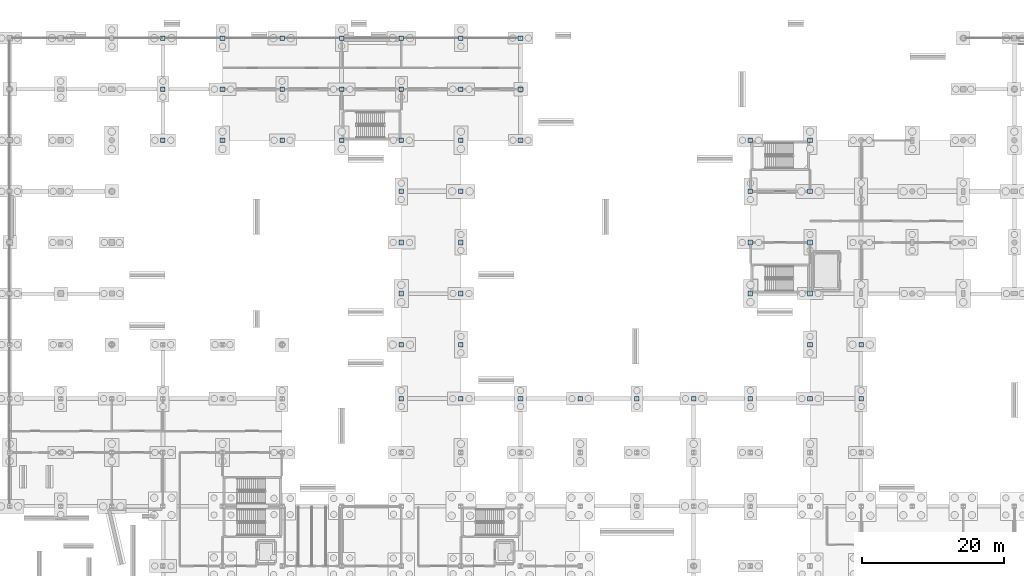
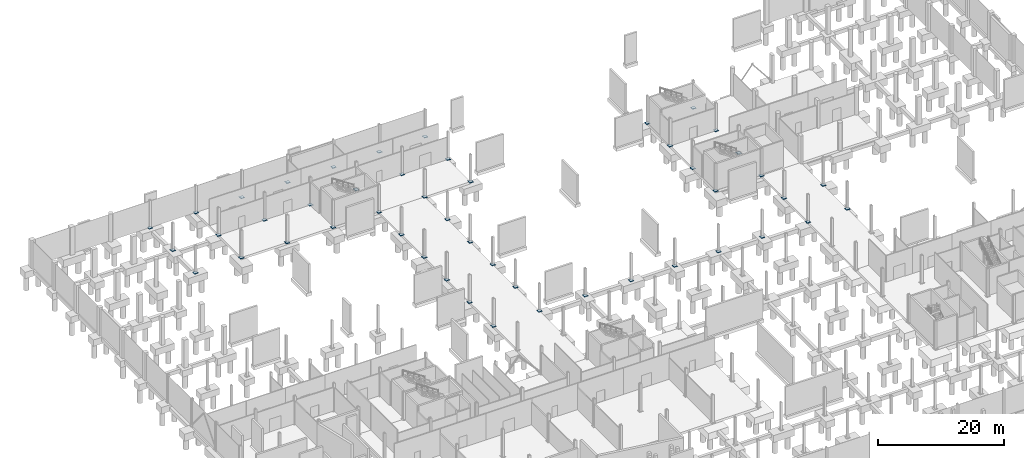
# One storey, part 38 of 61: 48 plates.
"""IFC4 building model written with IfcOpenShell, lengths in metres."""

from ifc_helpers import new_model, si_unit, direction, frame, origin, origin_2d, place, context, subcontext, project, spatial, rectangle, extrude, material, layer, layer_set, type_object, element, save


model = new_model("IFC4")

# Units and contexts
model_context = context("Model", 3, precision=1e-05, world=origin(), true_north=direction((0.0, 1.0)))
body_context = subcontext(model_context, "Body", "Model", "MODEL_VIEW")
ifc_project = project(units=[si_unit("LENGTHUNIT", "METRE"), si_unit("AREAUNIT", "SQUARE_METRE"), si_unit("VOLUMEUNIT", "CUBIC_METRE"), si_unit("PLANEANGLEUNIT", "RADIAN"), si_unit("MASSUNIT", "GRAM", prefix="KILO")], contexts=[model_context])

# Site, building, storey
site_placement = place(None, origin())
site = spatial("IfcSite", under=ifc_project, at=site_placement, CompositionType="ELEMENT")
building_placement = place(site_placement, origin())
building = spatial("IfcBuilding", under=site, at=building_placement, Name="Calvrana Isthmian Art Gallery", CompositionType="ELEMENT")
storey_placement = place(building_placement, frame((0.0, 0.0, -5.39990234375)))
storey = spatial("IfcBuildingStorey", under=building, at=storey_placement, Name="B1", CompositionType="ELEMENT", Elevation=-5.39990234375)

# Plates
ifc_material = material(Name="Steel ASTM A572 Gr 50", Category="steel")
ifc_layer_1 = layer(ifc_material, 0.0380859375, Name="Steel ASTM A572 Gr 50")
ifc_layer_set_1 = layer_set([ifc_layer_1], Name="Steel ASTM A572 Gr 50")
plate_type_1 = type_object("IfcPlateType", Name="PL-BASE-38", PredefinedType="USERDEFINED", material=ifc_layer_set_1)
for number, where, z_axis, x_axis, name in (
    (1, (21.60009765625, 98.39990234375, -0.000244140625), (0.0, 0.0, 1.0), (1.0, 0.0, 0.0), "Base plate 04/N"),
    (2, (21.60009765625, 105.60009765625, -0.000244140625), (0.0, 0.0, 1.0), (1.0, 0.0, 0.0), "Base plate 04/O"),
    (3, (21.60009765625, 112.800048828125, -0.000244140625), (0.0, 0.0, 1.0), (1.0, 0.0, 0.0), "Base plate 04/P"),
    (4, (30.0, 98.39990234375, -0.000244140625), (0.0, 0.0, 1.0), (1.0, 0.0, 0.0), "Base plate 05/N"),
    (5, (30.0, 105.60009765625, -0.000244140625), (0.0, 0.0, 1.0), (1.0, 0.0, 0.0), "Base plate 05/O"),
    (6, (30.0, 112.800048828125, -0.000244140625), (0.0, 0.0, 1.0), (1.0, 0.0, 0.0), "Base plate 05/P"),
    (7, (38.39990234375, 98.39990234375, -0.000244140625), (0.0, 0.0, 1.0), (1.0, 0.0, 0.0), "Base plate 06/N"),
    (8, (38.39990234375, 105.60009765625, -0.000244140625), (0.0, 0.0, 1.0), (1.0, 0.0, 0.0), "Base plate 06/O"),
    (9, (38.39990234375, 112.800048828125, -0.000244140625), (0.0, 0.0, 1.0), (1.0, 0.0, 0.0), "Base plate 06/P"),
    (10, (46.800048828125, 98.39990234375, -0.000244140625), (0.0, 0.0, 1.0), (1.0, 0.0, 0.0), "Base plate 07/N"),
    (11, (46.800048828125, 105.60009765625, -0.000244140625), (0.0, 0.0, 1.0), (1.0, 0.0, 0.0), "Base plate 07/O"),
    (12, (46.800048828125, 112.800048828125, -0.000244140625), (0.0, 0.0, 1.0), (1.0, 0.0, 0.0), "Base plate 07/P"),
    (13, (55.199951171875, 62.0, -0.000244140625), (0.0, 0.0, 1.0), (1.0, 0.0, 0.0), "Base plate 08/I"),
    (14, (55.199951171875, 69.60009765625, -0.000244140625), (0.0, 0.0, 1.0), (1.0, 0.0, 0.0), "Base plate 08/J"),
    (15, (55.199951171875, 76.800048828125, -0.000244140625), (0.0, 0.0, 1.0), (1.0, 0.0, 0.0), "Base plate 08/K"),
    (16, (55.199951171875, 84.0, -0.000244140625), (0.0, 0.0, 1.0), (1.0, 0.0, 0.0), "Base plate 08/L"),
    (17, (55.199951171875, 91.199951171875, -0.000244140625), (0.0, 0.0, 1.0), (1.0, 0.0, 0.0), "Base plate 08/M"),
    (18, (55.199951171875, 98.39990234375, -0.000244140625), (0.0, 0.0, 1.0), (1.0, 0.0, 0.0), "Base plate 08/N"),
    (19, (55.199951171875, 105.60009765625, -0.000244140625), (0.0, 0.0, 1.0), (1.0, 0.0, 0.0), "Base plate 08/O"),
    (20, (55.199951171875, 112.800048828125, -0.000244140625), (0.0, 0.0, 1.0), (1.0, 0.0, 0.0), "Base plate 08/P"),
    (21, (63.60009765625, 62.0, -0.000244140625), (0.0, 0.0, 1.0), (1.0, 0.0, 0.0), "Base plate 09/I"),
    (22, (63.60009765625, 69.60009765625, -0.000244140625), (0.0, 0.0, 1.0), (1.0, 0.0, 0.0), "Base plate 09/J"),
    (23, (63.60009765625, 76.800048828125, -0.000244140625), (0.0, 0.0, 1.0), (1.0, 0.0, 0.0), "Base plate 09/K"),
    (24, (63.60009765625, 84.0, -0.000244140625), (0.0, 0.0, 1.0), (1.0, 0.0, 0.0), "Base plate 09/L"),
    (25, (63.60009765625, 91.199951171875, -0.000244140625), (0.0, 0.0, 1.0), (1.0, 0.0, 0.0), "Base plate 09/M"),
    (26, (63.60009765625, 98.39990234375, -0.000244140625), (0.0, 0.0, 1.0), (1.0, 0.0, 0.0), "Base plate 09/N"),
    (27, (63.60009765625, 105.60009765625, -0.000244140625), (0.0, 0.0, 1.0), (1.0, 0.0, 0.0), "Base plate 09/O"),
    (28, (63.60009765625, 112.800048828125, -0.000244140625), (0.0, 0.0, 1.0), (1.0, 0.0, 0.0), "Base plate 09/P"),
    (29, (72.0, 62.0, -0.000244140625), (0.0, 0.0, 1.0), (1.0, 0.0, 0.0), "Base plate 10/I"),
    (30, (72.0, 98.39990234375, -0.000244140625), (0.0, 0.0, 1.0), (1.0, 0.0, 0.0), "Base plate 10/N"),
    (31, (72.0, 105.60009765625, -0.000244140625), (0.0, 0.0, 1.0), (1.0, 0.0, 0.0), "Base plate 10/O"),
    (32, (72.0, 112.800048828125, -0.000244140625), (0.0, 0.0, 1.0), (1.0, 0.0, 0.0), "Base plate 10/P"),
    (33, (80.39990234375, 62.0, -0.000244140625), (0.0, 0.0, 1.0), (1.0, 0.0, 0.0), "Base plate 11/I"),
    (34, (88.39990234375, 62.0, -0.000244140625), (0.0, 0.0, 1.0), (1.0, 0.0, 0.0), "Base plate 12/I"),
    (35, (96.39990234375, 62.0, -0.000244140625), (0.0, 0.0, 1.0), (1.0, 0.0, 0.0), "Base plate 13/I"),
    (36, (104.39990234375, 62.0, -0.000244140625), (0.0, 0.0, 1.0), (1.0, 0.0, 0.0), "Base plate 14/I"),
):
    element("IfcPlate", number, at=place(storey_placement, frame(where, z_axis=z_axis, x_axis=x_axis)), inside=storey, type_object=plate_type_1, Name=name, ObjectType="BASE PLATE", PredefinedType="USERDEFINED", context=body_context, shape_type="SweptSolid", body=[
        extrude(rectangle(XDim=0.64990234375, YDim=0.64990234375, at=origin_2d()), origin(), (0.0, 0.0, 1.0), 0.0380859375),
    ])
ifc_layer_2 = layer(ifc_material, 0.044921875, Name="Steel ASTM A572 Gr 50")
ifc_layer_set_2 = layer_set([ifc_layer_2], Name="Steel ASTM A572 Gr 50")
plate_type_2 = type_object("IfcPlateType", Name="PL-BASE-45", PredefinedType="USERDEFINED", material=ifc_layer_set_2)
for number, where, z_axis, x_axis, name in (
    (37, (104.39990234375, 76.800048828125, 0.0), (0.0, 0.0, 1.0), (1.0, 0.0, 0.0), "Base plate 14/K"),
    (38, (104.39990234375, 84.0, 0.0), (0.0, 0.0, 1.0), (1.0, 0.0, 0.0), "Base plate 14/L"),
    (39, (104.39990234375, 91.199951171875, 0.0), (0.0, 0.0, 1.0), (1.0, 0.0, 0.0), "Base plate 14/M"),
    (40, (104.39990234375, 98.39990234375, 0.0), (0.0, 0.0, 1.0), (1.0, 0.0, 0.0), "Base plate 14/N"),
    (41, (112.800048828125, 62.0, 0.0), (0.0, 0.0, 1.0), (1.0, 0.0, 0.0), "Base plate 15/I"),
    (42, (112.800048828125, 69.60009765625, 0.0), (0.0, 0.0, 1.0), (1.0, 0.0, 0.0), "Base plate 15/J"),
    (43, (112.800048828125, 76.800048828125, 0.0), (0.0, 0.0, 1.0), (1.0, 0.0, 0.0), "Base plate 15/K"),
    (44, (112.800048828125, 84.0, 0.0), (0.0, 0.0, 1.0), (1.0, 0.0, 0.0), "Base plate 15/L"),
    (45, (112.800048828125, 91.199951171875, 0.0), (0.0, 0.0, 1.0), (1.0, 0.0, 0.0), "Base plate 15/M"),
    (46, (112.800048828125, 98.39990234375, 0.0), (0.0, 0.0, 1.0), (1.0, 0.0, 0.0), "Base plate 15/N"),
    (47, (120.0, 62.0, 0.0), (0.0, 0.0, 1.0), (1.0, 0.0, 0.0), "Base plate 16/I"),
    (48, (120.0, 69.60009765625, 0.0), (0.0, 0.0, 1.0), (1.0, 0.0, 0.0), "Base plate 16/J"),
):
    element("IfcPlate", number, at=place(storey_placement, frame(where, z_axis=z_axis, x_axis=x_axis)), inside=storey, type_object=plate_type_2, Name=name, ObjectType="BASE PLATE", PredefinedType="USERDEFINED", context=body_context, shape_type="SweptSolid", body=[
        extrude(rectangle(XDim=0.64990234375, YDim=0.64990234375, at=origin_2d()), origin(), (0.0, 0.0, 1.0), 0.044921875),
    ])

save(model, "model.ifc")
